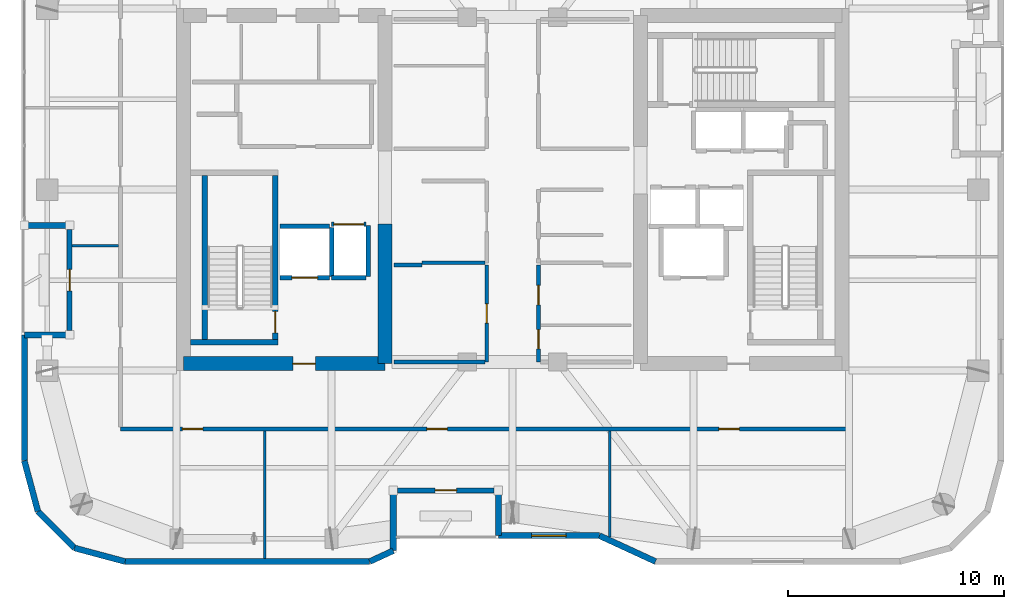
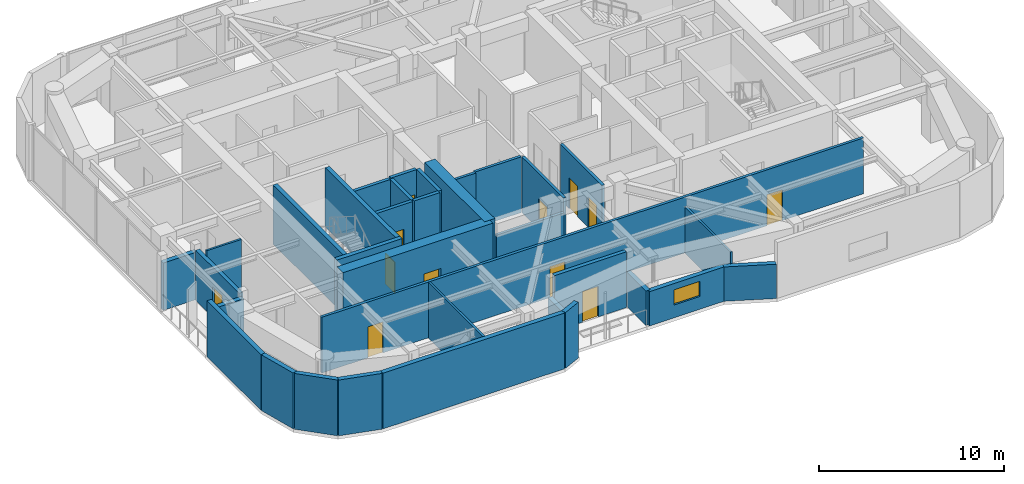
# One storey, part 10 of 15: 34 walls, 12 doors, 1 window, 13 openings.
"""IFC4 building model written with IfcOpenShell, lengths in metres."""

from ifc_helpers import new_model, si_unit, direction, frame, frame_2d, origin, place, context, subcontext, project, spatial, rectangle, extrude, material, layer, layer_set, type_object, element, fill, save


model = new_model("IFC4")

# Units and contexts
model_context = context("Model", 3, precision=1e-05, world=origin(), true_north=direction((0.0, 1.0)))
body_context = subcontext(model_context, "Body", "Model", "MODEL_VIEW")
ifc_project = project(units=[si_unit("LENGTHUNIT", "METRE"), si_unit("AREAUNIT", "SQUARE_METRE"), si_unit("VOLUMEUNIT", "CUBIC_METRE"), si_unit("PLANEANGLEUNIT", "RADIAN"), si_unit("MASSUNIT", "GRAM", prefix="KILO")], contexts=[model_context])

# Site, building, storey
site_placement = place(None, origin())
site = spatial("IfcSite", under=ifc_project, at=site_placement, CompositionType="ELEMENT")
building_placement = place(site_placement, origin())
building = spatial("IfcBuilding", under=site, at=building_placement, Name="Kiyonajd Concourse Tower", CompositionType="ELEMENT")
storey_placement = place(building_placement, frame((0.0, 0.0, 258.89990234375)))
storey = spatial("IfcBuildingStorey", under=building, at=storey_placement, Name="L65", CompositionType="ELEMENT", Elevation=258.89990234375)

# Wall
ifc_material_1 = material(Name="Concrete C60/75", Category="concrete")
ifc_layer_1 = layer(ifc_material_1, 0.64990234375)
ifc_layer_set_1 = layer_set([ifc_layer_1], Name="Concrete C60/75")
wall_type_1 = type_object("IfcWallType", Name="WL-CORE-650", PredefinedType="SHEAR", material=ifc_layer_set_1)
wall_1_placement = place(storey_placement, frame((42.074951171875, 27.925048828125, 0.0), z_axis=(0.0, 0.0, 1.0), x_axis=(0.0, 1.0, 0.0)))
element("IfcWall", 1, at=wall_1_placement, inside=storey, type_object=wall_type_1, Name="L65 West Core Inner South Shear Wall", PredefinedType="SHEAR", context=body_context, shape_type="SweptSolid", body=[
    extrude(rectangle(XDim=6.474853515625, YDim=0.64990234375, at=frame_2d((3.2373046875, 0.0))), origin(), (0.0, 0.0, 1.0), 3.900146484375),
])

# Wall, opening, door
wall_2_placement = place(storey_placement, frame((32.72509765625, 27.925048828125, 0.0), z_axis=(0.0, 0.0, 1.0), x_axis=(1.0, 0.0, 0.0)))
wall_2 = element("IfcWall", 2, at=wall_2_placement, inside=storey, type_object=wall_type_1, Name="L65 West Core South Shear Wall", PredefinedType="SHEAR", context=body_context, shape_type="SweptSolid", body=[
    extrude(rectangle(XDim=9.349853515625, YDim=0.64990234375, at=frame_2d((4.6748046875, 0.0))), origin(), (0.0, 0.0, 1.0), 3.900146484375),
])
opening_1_placement = place(wall_2_placement, frame((5.074951171875, 0.0, 0.0)))
opening_1 = element("IfcOpeningElement", 3, at=opening_1_placement, cuts=wall_2, Name="Opening DF5", PredefinedType="OPENING", context=body_context, shape_type="SweptSolid", body=[
    extrude(rectangle(XDim=1.050048828125, YDim=2.0400390625, at=frame_2d((0.52490234375, 1.02001953125))), frame((0.0, 0.3349609375, 0.0), z_axis=(0.0, -1.0, 0.0), x_axis=(1.0, 0.0, 0.0)), (0.0, 0.0, 1.0), 0.669921875),
])
ifc_material_2 = material(Name="Brushed Stainless Steel Cab Assembly", Category="steel")
door_type_1 = type_object("IfcDoorType", Name="DR-FD45-1050", OperationType="NOTDEFINED", PredefinedType="DOOR", material=ifc_material_2)
door_1_placement = place(opening_1_placement, origin())
door_1 = element("IfcDoor", 4, at=door_1_placement, inside=storey, type_object=door_type_1, Name="L65 Firefighting Lift Lobby W Smoke Door", OperationType="SINGLE_SWING_LEFT", OverallHeight=2.0400390625, OverallWidth=1.050048828125, PredefinedType="DOOR", context=body_context, shape_type="SweptSolid", body=[
    extrude(rectangle(XDim=1.050048828125, YDim=2.0400390625, at=frame_2d((0.52490234375, 1.02001953125))), frame((0.0, 0.02490234375, 0.0), z_axis=(0.0, -1.0, 0.0), x_axis=(1.0, 0.0, 0.0)), (0.0, 0.0, 1.0), 0.050048828125),
])
fill(opening_1, door_1)

# Walls
ifc_material_3 = material(Name="Precast concrete C50/60", Category="concrete")
ifc_layer_2 = layer(ifc_material_3, 0.280029296875)
ifc_layer_set_2 = layer_set([ifc_layer_2], Name="Precast concrete C50/60")
wall_type_2 = type_object("IfcWallType", Name="WL-EXT-280", PredefinedType="SOLIDWALL", material=ifc_layer_set_2)
wall_3_placement = place(storey_placement, frame((25.968505859375, 21.072509765625, 0.0), z_axis=(0.0, 0.0, 1.0), x_axis=(-0.258751159445, 0.965944013639, 0.0)))
element("IfcWall", 5, at=wall_3_placement, inside=storey, type_object=wall_type_2, Name="L65 Exterior Concrete Frame Wall 00", PredefinedType="SOLIDWALL", context=body_context, shape_type="SweptSolid", body=[
    extrude(rectangle(XDim=2.4287109375, YDim=0.280029296875, at=frame_2d((1.21435546875, 0.0))), origin(), (0.0, 0.0, 1.0), 3.68017578125),
])
wall_4_placement = place(storey_placement, frame((25.340087890625, 23.41845703125, 0.0), z_axis=(0.0, 0.0, 1.0), x_axis=(0.0, 1.0, 0.0)))
element("IfcWall", 6, at=wall_4_placement, inside=storey, type_object=wall_type_2, Name="L65 Exterior Concrete Frame Wall 01", PredefinedType="SOLIDWALL", context=body_context, shape_type="SweptSolid", body=[
    extrude(rectangle(XDim=5.841552734375, YDim=0.280029296875, at=frame_2d((2.9208984375, 0.0))), origin(), (0.0, 0.0, 1.0), 3.68017578125),
])
for number, where, z_axis, x_axis, name in (
    (7, (25.340087890625, 29.260009765625, 0.0), (0.0, 0.0, 1.0), (1.0, 0.0, 0.0), "L65 Exterior Concrete Frame Wall 02"),
    (8, (27.43994140625, 34.340087890625, 0.0), (0.0, 0.0, 1.0), (-1.0, 0.0, 0.0), "L65 Exterior Concrete Frame Wall 04"),
):
    element("IfcWall", number, at=place(storey_placement, frame(where, z_axis=z_axis, x_axis=x_axis)), inside=storey, type_object=wall_type_2, Name=name, PredefinedType="SOLIDWALL", context=body_context, shape_type="SweptSolid", body=[
        extrude(rectangle(XDim=2.099853515625, YDim=0.280029296875, at=frame_2d((1.0498046875, 0.0))), origin(), (0.0, 0.0, 1.0), 3.1259765625),
    ])
wall_5_placement = place(storey_placement, frame((54.630615234375, 18.739990234375, 0.0), z_axis=(0.0, 0.0, 1.0), x_axis=(-0.907956889006, 0.419063584324, 0.0)))
element("IfcWall", 9, at=wall_5_placement, inside=storey, type_object=wall_type_2, Name="L65 Exterior Concrete Frame Wall 29", PredefinedType="SOLIDWALL", context=body_context, shape_type="SweptSolid", body=[
    extrude(rectangle(XDim=2.863525390625, YDim=0.280029296875, at=frame_2d((1.431640625, 0.0))), origin(), (0.0, 0.0, 1.0), 2.26513671875),
])

# Wall, opening, window
wall_6_placement = place(storey_placement, frame((52.03076171875, 19.93994140625, 0.0), z_axis=(0.0, 0.0, 1.0), x_axis=(-1.0, 0.0, 0.0)))
wall_6 = element("IfcWall", 10, at=wall_6_placement, inside=storey, type_object=wall_type_2, Name="L65 Exterior Concrete Frame Wall 30", PredefinedType="SOLIDWALL", context=body_context, shape_type="SweptSolid", body=[
    extrude(rectangle(XDim=4.690673828125, YDim=0.280029296875, at=frame_2d((2.34521484375, 0.0))), origin(), (0.0, 0.0, 1.0), 2.26513671875),
])
opening_2_placement = place(wall_6_placement, frame((1.544921875, 0.0, 0.85009765625)))
opening_2 = element("IfcOpeningElement", 11, at=opening_2_placement, cuts=wall_6, Name="Opening WN6", PredefinedType="OPENING", context=body_context, shape_type="SweptSolid", body=[
    extrude(rectangle(XDim=1.60009765625, YDim=1.0, at=frame_2d((0.800048828125, 0.5))), frame((0.0, 0.14990234375, 0.0), z_axis=(0.0, -1.0, 0.0), x_axis=(1.0, 0.0, 0.0)), (0.0, 0.0, 1.0), 0.300048828125),
])
ifc_material_4 = material(Name="Double Low-E Insulated Glass", Category="glass")
window_type = type_object("IfcWindowType", Name="WN-VIS-1600x1000", PartitioningType="SINGLE_PANEL", PredefinedType="WINDOW", material=ifc_material_4)
window_placement = place(opening_2_placement, origin())
window = element("IfcWindow", 12, at=window_placement, inside=storey, type_object=window_type, Name="L65 Modular Facade Vision Window 30", OverallHeight=1.0, OverallWidth=1.60009765625, PartitioningType="SINGLE_PANEL", PredefinedType="WINDOW", context=body_context, shape_type="SweptSolid", body=[
    extrude(rectangle(XDim=1.60009765625, YDim=1.0, at=frame_2d((0.800048828125, 0.5))), frame((0.0, 0.030029296875, 0.0), z_axis=(0.0, -1.0, 0.0), x_axis=(1.0, 0.0, 0.0)), (0.0, 0.0, 1.0), 0.06005859375),
])
fill(opening_2, window)

# Walls
wall_7_placement = place(storey_placement, frame((47.340087890625, 19.93994140625, 0.0), z_axis=(0.0, 0.0, 1.0), x_axis=(0.0, 1.0, 0.0)))
element("IfcWall", 13, at=wall_7_placement, inside=storey, type_object=wall_type_2, Name="L65 Exterior Concrete Frame Wall 31", PredefinedType="SOLIDWALL", context=body_context, shape_type="SweptSolid", body=[
    extrude(rectangle(XDim=2.10009765625, YDim=0.280029296875, at=frame_2d((1.050048828125, 0.0))), origin(), (0.0, 0.0, 1.0), 2.26513671875),
])
wall_8_placement = place(storey_placement, frame((42.4599609375, 22.0400390625, 0.0), z_axis=(0.0, 0.0, 1.0), x_axis=(0.0, -1.0, 0.0)))
element("IfcWall", 14, at=wall_8_placement, inside=storey, type_object=wall_type_2, Name="L65 Exterior Concrete Frame Wall 33", PredefinedType="SOLIDWALL", context=body_context, shape_type="SweptSolid", body=[
    extrude(rectangle(XDim=2.79638671875, YDim=0.280029296875, at=frame_2d((1.398193359375, 0.0))), origin(), (0.0, 0.0, 1.0), 2.26513671875),
])
wall_9_placement = place(storey_placement, frame((42.4599609375, 19.24365234375, 0.0), z_axis=(0.0, 0.0, 1.0), x_axis=(-0.907893953211, -0.419199916176, 0.0)))
element("IfcWall", 15, at=wall_9_placement, inside=storey, type_object=wall_type_2, Name="L65 Exterior Concrete Frame Wall 34", PredefinedType="SOLIDWALL", context=body_context, shape_type="SweptSolid", body=[
    extrude(rectangle(XDim=1.201416015625, YDim=0.280029296875, at=frame_2d((0.6005859375, 0.0))), origin(), (0.0, 0.0, 1.0), 3.68017578125),
])
wall_10_placement = place(storey_placement, frame((41.369140625, 18.739990234375, 0.0), z_axis=(0.0, 0.0, 1.0), x_axis=(-1.0, 0.0, 0.0)))
element("IfcWall", 16, at=wall_10_placement, inside=storey, type_object=wall_type_2, Name="L65 Exterior Concrete Frame Wall 35", PredefinedType="SOLIDWALL", context=body_context, shape_type="SweptSolid", body=[
    extrude(rectangle(XDim=11.350830078125, YDim=0.280029296875, at=frame_2d((5.67529296875, 0.0))), origin(), (0.0, 0.0, 1.0), 3.68017578125),
])
wall_11_placement = place(storey_placement, frame((30.018310546875, 18.739990234375, 0.0), z_axis=(0.0, 0.0, 1.0), x_axis=(-0.965937282298, 0.25877628691, 0.0)))
element("IfcWall", 17, at=wall_11_placement, inside=storey, type_object=wall_type_2, Name="L65 Exterior Concrete Frame Wall 36", PredefinedType="SOLIDWALL", context=body_context, shape_type="SweptSolid", body=[
    extrude(rectangle(XDim=2.428466796875, YDim=0.280029296875, at=frame_2d((1.21435546875, 0.0))), origin(), (0.0, 0.0, 1.0), 3.68017578125),
])
wall_12_placement = place(storey_placement, frame((27.672607421875, 19.368408203125, 0.0), z_axis=(0.0, 0.0, 1.0), x_axis=(-0.707106781187, 0.707106781187, 0.0)))
element("IfcWall", 18, at=wall_12_placement, inside=storey, type_object=wall_type_2, Name="L65 Exterior Concrete Frame Wall 37", PredefinedType="SOLIDWALL", context=body_context, shape_type="SweptSolid", body=[
    extrude(rectangle(XDim=2.409912109375, YDim=0.280029296875, at=frame_2d((1.205078125, 0.0))), origin(), (0.0, 0.0, 1.0), 3.68017578125),
])

# Wall, opening, door
ifc_layer_3 = layer(ifc_material_3, 0.239990234375)
ifc_layer_set_3 = layer_set([ifc_layer_3], Name="Precast concrete C50/60")
wall_type_3 = type_object("IfcWallType", Name="WL-LOG-240", PredefinedType="SOLIDWALL", material=ifc_layer_set_3)
wall_13_placement = place(storey_placement, frame((27.43994140625, 29.455078125, 0.0), z_axis=(0.0, 0.0, 1.0), x_axis=(0.0, 1.0, 0.0)))
wall_13 = element("IfcWall", 19, at=wall_13_placement, inside=storey, type_object=wall_type_3, Name="L65 Recessed Loggia Thermal Wall LOG-W", PredefinedType="SOLIDWALL", context=body_context, shape_type="SweptSolid", body=[
    extrude(rectangle(XDim=4.68994140625, YDim=0.239990234375, at=frame_2d((2.344970703125, 0.0))), origin(), (0.0, 0.0, 1.0), 3.31103515625),
])
opening_3_placement = place(wall_13_placement, frame((1.844970703125, 0.0, 0.0)))
opening_3 = element("IfcOpeningElement", 20, at=opening_3_placement, cuts=wall_13, Name="Opening DL1", PredefinedType="OPENING", context=body_context, shape_type="SweptSolid", body=[
    extrude(rectangle(XDim=1.0, YDim=2.02001953125, at=frame_2d((0.5, 1.010009765625))), frame((0.0, 0.1298828125, 0.0), z_axis=(0.0, -1.0, 0.0), x_axis=(1.0, 0.0, 0.0)), (0.0, 0.0, 1.0), 0.260009765625),
])
ifc_material_5 = material(Name="Thermally Broken Anodised Aluminium", Category="aluminium")
door_type_2 = type_object("IfcDoorType", Name="DR-LOG-1000", OperationType="NOTDEFINED", PredefinedType="DOOR", material=ifc_material_5)
door_2_placement = place(opening_3_placement, origin())
door_2 = element("IfcDoor", 21, at=door_2_placement, inside=storey, type_object=door_type_2, Name="L65 Engawa Loggia Access Door LOG-W", OperationType="SINGLE_SWING_LEFT", OverallHeight=2.02001953125, OverallWidth=1.0, PredefinedType="DOOR", context=body_context, shape_type="SweptSolid", body=[
    extrude(rectangle(XDim=1.0, YDim=2.02001953125, at=frame_2d((0.5, 1.010009765625))), frame((0.0, 0.02490234375, 0.0), z_axis=(0.0, -1.0, 0.0), x_axis=(1.0, 0.0, 0.0)), (0.0, 0.0, 1.0), 0.050048828125),
])
fill(opening_3, door_2)

wall_14_placement = place(storey_placement, frame((47.14501953125, 22.0400390625, 0.0), z_axis=(0.0, 0.0, 1.0), x_axis=(-1.0, 0.0, 0.0)))
wall_14 = element("IfcWall", 22, at=wall_14_placement, inside=storey, type_object=wall_type_3, Name="L65 Recessed Loggia Thermal Wall LOG-S", PredefinedType="SOLIDWALL", context=body_context, shape_type="SweptSolid", body=[
    extrude(rectangle(XDim=4.489990234375, YDim=0.239990234375, at=frame_2d((2.2451171875, 0.0))), origin(), (0.0, 0.0, 1.0), 3.68017578125),
])
opening_4_placement = place(wall_14_placement, frame((1.7451171875, 0.0, 0.0)))
opening_4 = element("IfcOpeningElement", 23, at=opening_4_placement, cuts=wall_14, Name="Opening DL1", PredefinedType="OPENING", context=body_context, shape_type="SweptSolid", body=[
    extrude(rectangle(XDim=1.0, YDim=2.02001953125, at=frame_2d((0.5, 1.010009765625))), frame((0.0, 0.1298828125, 0.0), z_axis=(0.0, -1.0, 0.0), x_axis=(1.0, 0.0, 0.0)), (0.0, 0.0, 1.0), 0.260009765625),
])
door_3_placement = place(opening_4_placement, origin())
door_3 = element("IfcDoor", 24, at=door_3_placement, inside=storey, type_object=door_type_2, Name="L65 Engawa Loggia Access Door LOG-S", OperationType="SINGLE_SWING_RIGHT", OverallHeight=2.02001953125, OverallWidth=1.0, PredefinedType="DOOR", context=body_context, shape_type="SweptSolid", body=[
    extrude(rectangle(XDim=1.0, YDim=2.02001953125, at=frame_2d((0.5, 1.010009765625))), frame((0.0, 0.02490234375, 0.0), z_axis=(0.0, -1.0, 0.0), x_axis=(1.0, 0.0, 0.0)), (0.0, 0.0, 1.0), 0.050048828125),
])
fill(opening_4, door_3)

# Walls
ifc_material_6 = material(Name="Gypsum Board on Cold-Formed Steel Stud", Category="steel")
ifc_layer_4 = layer(ifc_material_6, 0.125)
ifc_layer_set_4 = layer_set([ifc_layer_4], Name="Gypsum Board on Cold-Formed Steel Stud")
wall_type_4 = type_object("IfcWallType", Name="WL-PART-125", PredefinedType="PARTITIONING", material=ifc_layer_set_4)
wall_15_placement = place(storey_placement, frame((36.5, 18.875, 0.0), z_axis=(0.0, 0.0, 1.0), x_axis=(0.0, 1.0, 0.0)))
element("IfcWall", 25, at=wall_15_placement, inside=storey, type_object=wall_type_4, Name="L65 Interior Partition Wall", PredefinedType="PARTITIONING", context=body_context, shape_type="SweptSolid", body=[
    extrude(rectangle(XDim=5.927978515625, YDim=0.125, at=frame_2d((2.9638671875, 0.0))), origin(), (0.0, 0.0, 1.0), 3.68017578125),
])
wall_16_placement = place(storey_placement, frame((52.5, 19.875, 0.0), z_axis=(0.0, 0.0, 1.0), x_axis=(0.0, 1.0, 0.0)))
element("IfcWall", 26, at=wall_16_placement, inside=storey, type_object=wall_type_4, Name="L65 Interior Partition Wall", PredefinedType="PARTITIONING", context=body_context, shape_type="SweptSolid", body=[
    extrude(rectangle(XDim=4.927978515625, YDim=0.125, at=frame_2d((2.4638671875, 0.0))), origin(), (0.0, 0.0, 1.0), 3.043212890625),
])
wall_17_placement = place(storey_placement, frame((27.554931640625, 33.39990234375, 0.0), z_axis=(0.0, 0.0, 1.0), x_axis=(1.0, 0.0, 0.0)))
element("IfcWall", 27, at=wall_17_placement, inside=storey, type_object=wall_type_4, Name="L65 Interior Partition Wall", PredefinedType="PARTITIONING", context=body_context, shape_type="SweptSolid", body=[
    extrude(rectangle(XDim=2.157958984375, YDim=0.125, at=frame_2d((1.0791015625, 0.0))), origin(), (0.0, 0.0, 1.0), 3.68017578125),
])

# Wall, opening, door
ifc_layer_5 = layer(ifc_material_6, 0.2099609375)
ifc_layer_set_5 = layer_set([ifc_layer_5], Name="Gypsum Board on Cold-Formed Steel Stud")
wall_type_5 = type_object("IfcWallType", Name="WL-SHAFT-210", PredefinedType="PARTITIONING", material=ifc_layer_set_5)
wall_18_placement = place(storey_placement, frame((37.199951171875, 31.89990234375, 0.0), z_axis=(0.0, 0.0, 1.0), x_axis=(1.0, 0.0, 0.0)))
wall_18 = element("IfcWall", 28, at=wall_18_placement, inside=storey, type_object=wall_type_5, Name="L65 Shaft Enclosure Wall", PredefinedType="PARTITIONING", context=body_context, shape_type="SweptSolid", body=[
    extrude(rectangle(XDim=2.300048828125, YDim=0.2099609375, at=frame_2d((1.14990234375, 0.0))), origin(), (0.0, 0.0, 1.0), 3.68017578125),
])
opening_5_placement = place(wall_18_placement, frame((0.550048828125, 0.0, 0.0)))
opening_5 = element("IfcOpeningElement", 29, at=opening_5_placement, cuts=wall_18, Name="Opening LD2", PredefinedType="OPENING", context=body_context, shape_type="SweptSolid", body=[
    extrude(rectangle(XDim=1.199951171875, YDim=2.0400390625, at=frame_2d((0.60009765625, 1.02001953125))), frame((0.0, 0.114990234375, 0.0), z_axis=(0.0, -1.0, 0.0), x_axis=(1.0, 0.0, 0.0)), (0.0, 0.0, 1.0), 0.22998046875),
])
door_type_3 = type_object("IfcDoorType", Name="DR-LD-1200", OperationType="DOUBLE_DOOR_SLIDING", PredefinedType="DOOR", material=ifc_material_2)
door_4_placement = place(opening_5_placement, origin())
door_4 = element("IfcDoor", 30, at=door_4_placement, inside=storey, type_object=door_type_3, Name="L65 Lift FFL1 Sliding Landing Door", OperationType="DOUBLE_DOOR_SLIDING", OverallHeight=2.0400390625, OverallWidth=1.199951171875, PredefinedType="DOOR", context=body_context, shape_type="SweptSolid", body=[
    extrude(rectangle(XDim=1.199951171875, YDim=2.0400390625, at=frame_2d((0.60009765625, 1.02001953125))), frame((0.0, 0.02490234375, 0.0), z_axis=(0.0, -1.0, 0.0), x_axis=(1.0, 0.0, 0.0)), (0.0, 0.0, 1.0), 0.050048828125),
])
fill(opening_5, door_4)

# Walls
wall_19_placement = place(storey_placement, frame((37.199951171875, 34.300048828125, 0.0), z_axis=(0.0, 0.0, 1.0), x_axis=(1.0, 0.0, 0.0)))
element("IfcWall", 31, at=wall_19_placement, inside=storey, type_object=wall_type_5, Name="L65 Shaft Enclosure Wall", PredefinedType="PARTITIONING", context=body_context, shape_type="SweptSolid", body=[
    extrude(rectangle(XDim=2.300048828125, YDim=0.2099609375, at=frame_2d((1.14990234375, 0.0))), origin(), (0.0, 0.0, 1.0), 3.68017578125),
])
wall_20_placement = place(storey_placement, frame((39.60009765625, 31.9599609375, 0.0), z_axis=(0.0, 0.0, 1.0), x_axis=(0.0, 1.0, 0.0)))
element("IfcWall", 32, at=wall_20_placement, inside=storey, type_object=wall_type_5, Name="L65 Shaft Enclosure Wall", PredefinedType="PARTITIONING", context=body_context, shape_type="SweptSolid", body=[
    extrude(rectangle(XDim=2.280029296875, YDim=0.2099609375, at=frame_2d((1.14013671875, 0.0))), origin(), (0.0, 0.0, 1.0), 3.68017578125),
])

# Wall, opening, door
wall_21_placement = place(storey_placement, frame((39.60009765625, 34.39990234375, 0.0), z_axis=(0.0, 0.0, 1.0), x_axis=(1.0, 0.0, 0.0)))
wall_21 = element("IfcWall", 33, at=wall_21_placement, inside=storey, type_object=wall_type_5, Name="L65 Shaft Enclosure Wall", PredefinedType="PARTITIONING", context=body_context, shape_type="SweptSolid", body=[
    extrude(rectangle(XDim=1.599853515625, YDim=0.2099609375, at=frame_2d((0.7998046875, 0.0))), origin(), (0.0, 0.0, 1.0), 3.68017578125),
])
opening_6_placement = place(wall_21_placement, frame((0.10009765625, 0.0, 0.0)))
opening_6 = element("IfcOpeningElement", 34, at=opening_6_placement, cuts=wall_21, Name="Opening LD3", PredefinedType="OPENING", context=body_context, shape_type="SweptSolid", body=[
    extrude(rectangle(XDim=1.39990234375, YDim=2.06005859375, at=frame_2d((0.699951171875, 1.030029296875))), frame((0.0, 0.114990234375, 0.0), z_axis=(0.0, -1.0, 0.0), x_axis=(1.0, 0.0, 0.0)), (0.0, 0.0, 1.0), 0.22998046875),
])
door_type_4 = type_object("IfcDoorType", Name="DR-LD-1400", OperationType="DOUBLE_DOOR_SLIDING", PredefinedType="DOOR", material=ifc_material_2)
door_5_placement = place(opening_6_placement, origin())
door_5 = element("IfcDoor", 35, at=door_5_placement, inside=storey, type_object=door_type_4, Name="L65 Lift SVL1 Sliding Landing Door", OperationType="DOUBLE_DOOR_SLIDING", OverallHeight=2.06005859375, OverallWidth=1.39990234375, PredefinedType="DOOR", context=body_context, shape_type="SweptSolid", body=[
    extrude(rectangle(XDim=1.39990234375, YDim=2.06005859375, at=frame_2d((0.699951171875, 1.030029296875))), frame((0.0, 0.02490234375, 0.0), z_axis=(0.0, -1.0, 0.0), x_axis=(1.0, 0.0, 0.0)), (0.0, 0.0, 1.0), 0.050048828125),
])
fill(opening_6, door_5)

# Walls
wall_22_placement = place(storey_placement, frame((39.60009765625, 31.89990234375, 0.0), z_axis=(0.0, 0.0, 1.0), x_axis=(1.0, 0.0, 0.0)))
element("IfcWall", 36, at=wall_22_placement, inside=storey, type_object=wall_type_5, Name="L65 Shaft Enclosure Wall", PredefinedType="PARTITIONING", context=body_context, shape_type="SweptSolid", body=[
    extrude(rectangle(XDim=1.599853515625, YDim=0.2099609375, at=frame_2d((0.7998046875, 0.0))), origin(), (0.0, 0.0, 1.0), 3.68017578125),
])
wall_23_placement = place(storey_placement, frame((41.300048828125, 31.9599609375, 0.0), z_axis=(0.0, 0.0, 1.0), x_axis=(0.0, 1.0, 0.0)))
element("IfcWall", 37, at=wall_23_placement, inside=storey, type_object=wall_type_5, Name="L65 Shaft Enclosure Wall", PredefinedType="PARTITIONING", context=body_context, shape_type="SweptSolid", body=[
    extrude(rectangle(XDim=2.380126953125, YDim=0.2099609375, at=frame_2d((1.18994140625, 0.0))), origin(), (0.0, 0.0, 1.0), 3.68017578125),
])
ifc_layer_6 = layer(ifc_material_6, 0.169921875)
ifc_layer_set_6 = layer_set([ifc_layer_6], Name="Gypsum Board on Cold-Formed Steel Stud")
wall_type_6 = type_object("IfcWallType", Name="WL-SMK-170", PredefinedType="PARTITIONING", material=ifc_layer_set_6)
wall_24_placement = place(storey_placement, frame((43.800048828125, 32.60009765625, 0.0), z_axis=(0.0, 0.0, 1.0), x_axis=(1.0, 0.0, 0.0)))
element("IfcWall", 38, at=wall_24_placement, inside=storey, type_object=wall_type_6, Name="L65 Interior Partition Wall", PredefinedType="PARTITIONING", context=body_context, shape_type="SweptSolid", body=[
    extrude(rectangle(XDim=2.912841796875, YDim=0.169921875, at=frame_2d((1.45654296875, 0.0))), origin(), (0.0, 0.0, 1.0), 3.68017578125),
])

# Wall, opening, door
wall_25_placement = place(storey_placement, frame((46.800048828125, 28.0, 0.0), z_axis=(0.0, 0.0, 1.0), x_axis=(0.0, 1.0, 0.0)))
wall_25 = element("IfcWall", 39, at=wall_25_placement, inside=storey, type_object=wall_type_6, Name="L65 Interior Partition Wall", PredefinedType="PARTITIONING", context=body_context, shape_type="SweptSolid", body=[
    extrude(rectangle(XDim=4.5, YDim=0.169921875, at=frame_2d((2.25, 0.0))), origin(), (0.0, 0.0, 1.0), 3.68017578125),
])
opening_7_placement = place(wall_25_placement, frame((1.800048828125, 0.0, 0.0)))
opening_7 = element("IfcOpeningElement", 40, at=opening_7_placement, cuts=wall_25, Name="Opening DI2", PredefinedType="OPENING", context=body_context, shape_type="SweptSolid", body=[
    extrude(rectangle(XDim=0.89990234375, YDim=2.02001953125, at=frame_2d((0.449951171875, 1.010009765625))), frame((0.0, 0.094970703125, 0.0), z_axis=(0.0, -1.0, 0.0), x_axis=(1.0, 0.0, 0.0)), (0.0, 0.0, 1.0), 0.18994140625),
])
ifc_material_7 = material(Name="Natural Oak Acoustic Timber Veneer", Category="wood")
door_type_5 = type_object("IfcDoorType", Name="DR-INT-900", OperationType="NOTDEFINED", PredefinedType="DOOR", material=ifc_material_7)
door_6_placement = place(opening_7_placement, origin())
door_6 = element("IfcDoor", 41, at=door_6_placement, inside=storey, type_object=door_type_5, Name="L65 Interior Door", OperationType="SINGLE_SWING_LEFT", OverallHeight=2.02001953125, OverallWidth=0.89990234375, PredefinedType="DOOR", context=body_context, shape_type="SweptSolid", body=[
    extrude(rectangle(XDim=0.89990234375, YDim=2.02001953125, at=frame_2d((0.449951171875, 1.010009765625))), frame((0.0, 0.02490234375, 0.0), z_axis=(0.0, -1.0, 0.0), x_axis=(1.0, 0.0, 0.0)), (0.0, 0.0, 1.0), 0.050048828125),
])
fill(opening_7, door_6)

# Walls
wall_26_placement = place(storey_placement, frame((42.5, 28.0, 0.0), z_axis=(0.0, 0.0, 1.0), x_axis=(1.0, 0.0, 0.0)))
element("IfcWall", 42, at=wall_26_placement, inside=storey, type_object=wall_type_6, Name="L65 Interior Partition Wall", PredefinedType="PARTITIONING", context=body_context, shape_type="SweptSolid", body=[
    extrude(rectangle(XDim=4.212890625, YDim=0.169921875, at=frame_2d((2.1064453125, 0.0))), origin(), (0.0, 0.0, 1.0), 2.76513671875),
])
wall_27_placement = place(storey_placement, frame((42.5, 32.5, 0.0), z_axis=(0.0, 0.0, 1.0), x_axis=(1.0, 0.0, 0.0)))
element("IfcWall", 43, at=wall_27_placement, inside=storey, type_object=wall_type_6, Name="L65 Interior Partition Wall", PredefinedType="PARTITIONING", context=body_context, shape_type="SweptSolid", body=[
    extrude(rectangle(XDim=1.300048828125, YDim=0.169921875, at=frame_2d((0.64990234375, 0.0))), origin(), (0.0, 0.0, 1.0), 3.68017578125),
])

# Wall, openings, doors
wall_28_placement = place(storey_placement, frame((49.199951171875, 28.0, 0.0), z_axis=(0.0, 0.0, 1.0), x_axis=(0.0, 1.0, 0.0)))
wall_28 = element("IfcWall", 44, at=wall_28_placement, inside=storey, type_object=wall_type_6, Name="L65 Interior Partition Wall", PredefinedType="PARTITIONING", context=body_context, shape_type="SweptSolid", body=[
    extrude(rectangle(XDim=4.5, YDim=0.169921875, at=frame_2d((2.25, 0.0))), origin(), (0.0, 0.0, 1.0), 3.68017578125),
])
opening_8_placement = place(wall_28_placement, frame((0.60498046875, 0.0, 0.0)))
opening_8 = element("IfcOpeningElement", 45, at=opening_8_placement, cuts=wall_28, Name="Opening DI2", PredefinedType="OPENING", context=body_context, shape_type="SweptSolid", body=[
    extrude(rectangle(XDim=0.89990234375, YDim=2.02001953125, at=frame_2d((0.449951171875, 1.010009765625))), frame((0.0, 0.094970703125, 0.0), z_axis=(0.0, -1.0, 0.0), x_axis=(1.0, 0.0, 0.0)), (0.0, 0.0, 1.0), 0.18994140625),
])
opening_9_placement = place(wall_28_placement, frame((2.655029296875, 0.0, 0.0)))
opening_9 = element("IfcOpeningElement", 46, at=opening_9_placement, cuts=wall_28, Name="Opening DI2", PredefinedType="OPENING", context=body_context, shape_type="SweptSolid", body=[
    extrude(rectangle(XDim=0.89990234375, YDim=2.02001953125, at=frame_2d((0.449951171875, 1.010009765625))), frame((0.0, 0.094970703125, 0.0), z_axis=(0.0, -1.0, 0.0), x_axis=(1.0, 0.0, 0.0)), (0.0, 0.0, 1.0), 0.18994140625),
])
door_7_placement = place(opening_8_placement, origin())
door_7 = element("IfcDoor", 47, at=door_7_placement, inside=storey, type_object=door_type_5, Name="L65 Interior Door", OperationType="SINGLE_SWING_RIGHT", OverallHeight=2.02001953125, OverallWidth=0.89990234375, PredefinedType="DOOR", context=body_context, shape_type="SweptSolid", body=[
    extrude(rectangle(XDim=0.89990234375, YDim=2.02001953125, at=frame_2d((0.449951171875, 1.010009765625))), frame((0.0, 0.02490234375, 0.0), z_axis=(0.0, -1.0, 0.0), x_axis=(1.0, 0.0, 0.0)), (0.0, 0.0, 1.0), 0.050048828125),
])
fill(opening_8, door_7)
door_8_placement = place(opening_9_placement, origin())
door_8 = element("IfcDoor", 48, at=door_8_placement, inside=storey, type_object=door_type_5, Name="L65 Interior Door", OperationType="SINGLE_SWING_LEFT", OverallHeight=2.02001953125, OverallWidth=0.89990234375, PredefinedType="DOOR", context=body_context, shape_type="SweptSolid", body=[
    extrude(rectangle(XDim=0.89990234375, YDim=2.02001953125, at=frame_2d((0.449951171875, 1.010009765625))), frame((0.0, 0.02490234375, 0.0), z_axis=(0.0, -1.0, 0.0), x_axis=(1.0, 0.0, 0.0)), (0.0, 0.0, 1.0), 0.050048828125),
])
fill(opening_9, door_8)

wall_29_placement = place(storey_placement, frame((29.800048828125, 24.889892578125, 0.0), z_axis=(0.0, 0.0, 1.0), x_axis=(1.0, 0.0, 0.0)))
wall_29 = element("IfcWall", 49, at=wall_29_placement, inside=storey, type_object=wall_type_6, Name="L65 Interior Partition Wall", PredefinedType="PARTITIONING", context=body_context, shape_type="SweptSolid", body=[
    extrude(rectangle(XDim=33.800048828125, YDim=0.169921875, at=frame_2d((16.89990234375, 0.0))), origin(), (0.0, 0.0, 1.0), 3.68017578125),
])
opening_10_placement = place(wall_29_placement, frame((2.875, 0.0, 0.0)))
opening_10 = element("IfcOpeningElement", 50, at=opening_10_placement, cuts=wall_29, Name="Opening DI1", PredefinedType="OPENING", context=body_context, shape_type="SweptSolid", body=[
    extrude(rectangle(XDim=0.949951171875, YDim=2.0400390625, at=frame_2d((0.47509765625, 1.02001953125))), frame((0.0, 0.094970703125, 0.0), z_axis=(0.0, -1.0, 0.0), x_axis=(1.0, 0.0, 0.0)), (0.0, 0.0, 1.0), 0.18994140625),
])
opening_11_placement = place(wall_29_placement, frame((14.22509765625, 0.0, 0.0)))
opening_11 = element("IfcOpeningElement", 51, at=opening_11_placement, cuts=wall_29, Name="Opening DI1", PredefinedType="OPENING", context=body_context, shape_type="SweptSolid", body=[
    extrude(rectangle(XDim=0.949951171875, YDim=2.0400390625, at=frame_2d((0.47509765625, 1.02001953125))), frame((0.0, 0.094970703125, 0.0), z_axis=(0.0, -1.0, 0.0), x_axis=(1.0, 0.0, 0.0)), (0.0, 0.0, 1.0), 0.18994140625),
])
opening_12_placement = place(wall_29_placement, frame((27.77490234375, 0.0, 0.0)))
opening_12 = element("IfcOpeningElement", 52, at=opening_12_placement, cuts=wall_29, Name="Opening DI1", PredefinedType="OPENING", context=body_context, shape_type="SweptSolid", body=[
    extrude(rectangle(XDim=0.949951171875, YDim=2.0400390625, at=frame_2d((0.47509765625, 1.02001953125))), frame((0.0, 0.094970703125, 0.0), z_axis=(0.0, -1.0, 0.0), x_axis=(1.0, 0.0, 0.0)), (0.0, 0.0, 1.0), 0.18994140625),
])
door_type_6 = type_object("IfcDoorType", Name="DR-INT-950", OperationType="NOTDEFINED", PredefinedType="DOOR", material=ifc_material_7)
door_9_placement = place(opening_10_placement, origin())
door_9 = element("IfcDoor", 53, at=door_9_placement, inside=storey, type_object=door_type_6, Name="L65 Interior Door", OperationType="SINGLE_SWING_LEFT", OverallHeight=2.0400390625, OverallWidth=0.949951171875, PredefinedType="DOOR", context=body_context, shape_type="SweptSolid", body=[
    extrude(rectangle(XDim=0.949951171875, YDim=2.0400390625, at=frame_2d((0.47509765625, 1.02001953125))), frame((0.0, 0.02490234375, 0.0), z_axis=(0.0, -1.0, 0.0), x_axis=(1.0, 0.0, 0.0)), (0.0, 0.0, 1.0), 0.050048828125),
])
fill(opening_10, door_9)
door_10_placement = place(opening_11_placement, origin())
door_10 = element("IfcDoor", 54, at=door_10_placement, inside=storey, type_object=door_type_6, Name="L65 Interior Door", OperationType="SINGLE_SWING_RIGHT", OverallHeight=2.0400390625, OverallWidth=0.949951171875, PredefinedType="DOOR", context=body_context, shape_type="SweptSolid", body=[
    extrude(rectangle(XDim=0.949951171875, YDim=2.0400390625, at=frame_2d((0.47509765625, 1.02001953125))), frame((0.0, 0.02490234375, 0.0), z_axis=(0.0, -1.0, 0.0), x_axis=(1.0, 0.0, 0.0)), (0.0, 0.0, 1.0), 0.050048828125),
])
fill(opening_11, door_10)
door_11_placement = place(opening_12_placement, origin())
door_11 = element("IfcDoor", 55, at=door_11_placement, inside=storey, type_object=door_type_6, Name="L65 Interior Door", OperationType="SINGLE_SWING_LEFT", OverallHeight=2.0400390625, OverallWidth=0.949951171875, PredefinedType="DOOR", context=body_context, shape_type="SweptSolid", body=[
    extrude(rectangle(XDim=0.949951171875, YDim=2.0400390625, at=frame_2d((0.47509765625, 1.02001953125))), frame((0.0, 0.02490234375, 0.0), z_axis=(0.0, -1.0, 0.0), x_axis=(1.0, 0.0, 0.0)), (0.0, 0.0, 1.0), 0.050048828125),
])
fill(opening_12, door_11)

# Walls
ifc_material_8 = material(Name="Concrete C50/60", Category="concrete")
ifc_layer_7 = layer(ifc_material_8, 0.260009765625)
ifc_layer_set_7 = layer_set([ifc_layer_7], Name="Concrete C50/60")
wall_type_7 = type_object("IfcWallType", Name="WL-STAIR-260", PredefinedType="SHEAR", material=ifc_layer_set_7)
wall_30_placement = place(storey_placement, frame((33.050048828125, 28.919921875, 0.0), z_axis=(0.0, 0.0, 1.0), x_axis=(1.0, 0.0, 0.0)))
element("IfcWall", 56, at=wall_30_placement, inside=storey, type_object=wall_type_7, Name="L65 Stair ST1 Structural South Wall", PredefinedType="SHEAR", context=body_context, shape_type="SweptSolid", body=[
    extrude(rectangle(XDim=4.06005859375, YDim=0.260009765625, at=frame_2d((2.030029296875, 0.0))), origin(), (0.0, 0.0, 1.0), 3.900146484375),
])
wall_31_placement = place(storey_placement, frame((33.719970703125, 29.050048828125, 0.0), z_axis=(0.0, 0.0, 1.0), x_axis=(0.0, 1.0, 0.0)))
element("IfcWall", 57, at=wall_31_placement, inside=storey, type_object=wall_type_7, Name="L65 Stair ST1 Structural West Wall", PredefinedType="SHEAR", context=body_context, shape_type="SweptSolid", body=[
    extrude(rectangle(XDim=7.599853515625, YDim=0.260009765625, at=frame_2d((3.7998046875, 0.0))), origin(), (0.0, 0.0, 1.0), 3.900146484375),
])

# Wall, opening, door
wall_32_placement = place(storey_placement, frame((36.97998046875, 29.050048828125, 0.0), z_axis=(0.0, 0.0, 1.0), x_axis=(0.0, 1.0, 0.0)))
wall_32 = element("IfcWall", 58, at=wall_32_placement, inside=storey, type_object=wall_type_7, Name="L65 Stair ST1 Structural East Wall", PredefinedType="SHEAR", context=body_context, shape_type="SweptSolid", body=[
    extrude(rectangle(XDim=7.599853515625, YDim=0.260009765625, at=frame_2d((3.7998046875, 0.0))), origin(), (0.0, 0.0, 1.0), 3.900146484375),
])
opening_13_placement = place(wall_32_placement, frame((0.300048828125, 0.0, 0.0)))
opening_13 = element("IfcOpeningElement", 59, at=opening_13_placement, cuts=wall_32, Name="Opening DF1", PredefinedType="OPENING", context=body_context, shape_type="SweptSolid", body=[
    extrude(rectangle(XDim=1.0, YDim=2.0400390625, at=frame_2d((0.5, 1.02001953125))), frame((0.0, 0.139892578125, 0.0), z_axis=(0.0, -1.0, 0.0), x_axis=(1.0, 0.0, 0.0)), (0.0, 0.0, 1.0), 0.280029296875),
])
door_type_7 = type_object("IfcDoorType", Name="DR-FD90-1000", OperationType="NOTDEFINED", PredefinedType="DOOR", material=ifc_material_2)
door_12_placement = place(opening_13_placement, origin())
door_12 = element("IfcDoor", 60, at=door_12_placement, inside=storey, type_object=door_type_7, Name="L65 Stair ST1 FSAE Door", OperationType="SINGLE_SWING_LEFT", OverallHeight=2.0400390625, OverallWidth=1.0, PredefinedType="DOOR", context=body_context, shape_type="SweptSolid", body=[
    extrude(rectangle(XDim=1.0, YDim=2.0400390625, at=frame_2d((0.5, 1.02001953125))), frame((0.0, 0.02490234375, 0.0), z_axis=(0.0, -1.0, 0.0), x_axis=(1.0, 0.0, 0.0)), (0.0, 0.0, 1.0), 0.050048828125),
])
fill(opening_13, door_12)

save(model, "model.ifc")
